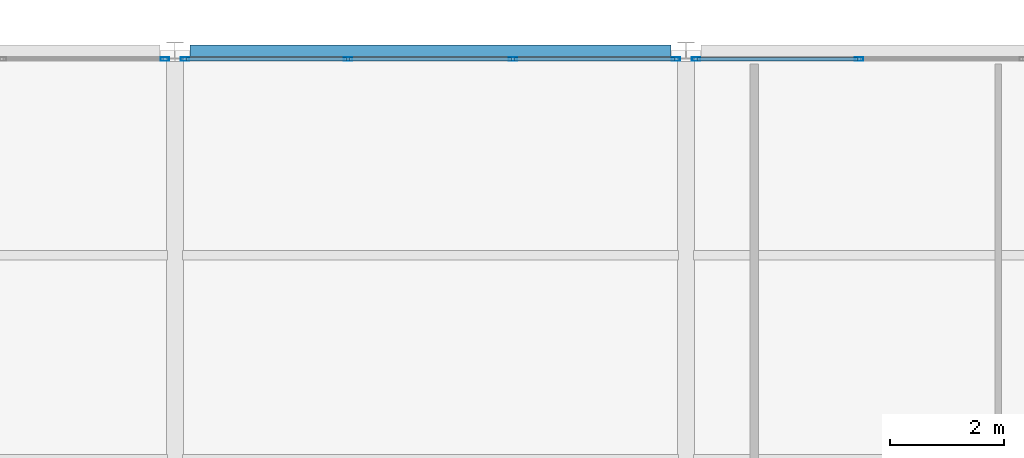
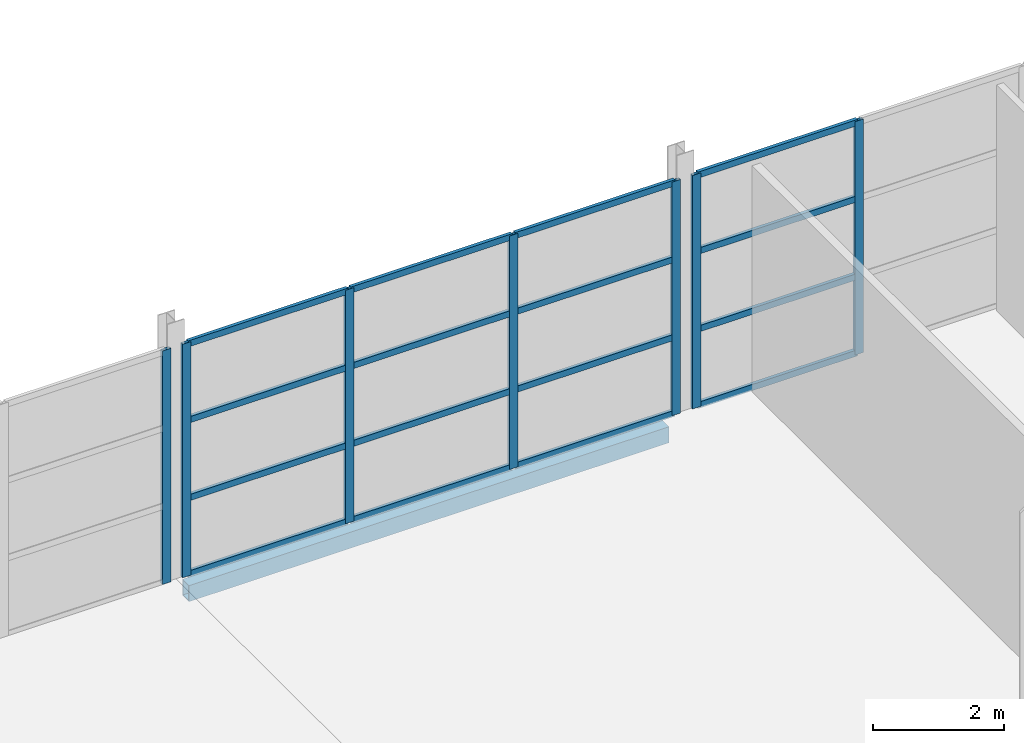
# One storey, part 58 of 134: 23 members, 1 beam, 3 elements without a shape of their own.
"""IFC4 building model written with IfcOpenShell, lengths in metres."""

from ifc_helpers import new_model, si_unit, direction, frame, origin, origin_2d, place, context, subcontext, project, spatial, hollow_rectangle, extrude, material, layer, layer_set, material_profile, profile_set, type_object, element, aggregate, save


model = new_model("IFC4")

# Units and contexts
model_context = context("Model", 3, precision=1e-05, world=origin(), true_north=direction((0.0, 1.0)))
body_context = subcontext(model_context, "Body", "Model", "MODEL_VIEW")
ifc_project = project(units=[si_unit("LENGTHUNIT", "METRE"), si_unit("AREAUNIT", "SQUARE_METRE"), si_unit("VOLUMEUNIT", "CUBIC_METRE"), si_unit("PLANEANGLEUNIT", "RADIAN"), si_unit("MASSUNIT", "GRAM", prefix="KILO")], contexts=[model_context])

# Site, building, storey
site_placement = place(None, origin())
site = spatial("IfcSite", under=ifc_project, at=site_placement, CompositionType="ELEMENT")
building_placement = place(site_placement, origin())
building = spatial("IfcBuilding", under=site, at=building_placement, Name="Tamarisk Ironworks Central Station", CompositionType="ELEMENT")
storey_placement = place(building_placement, frame((0.0, 0.0, 12.60009765625)))
storey = spatial("IfcBuildingStorey", under=building, at=storey_placement, Name="L02", CompositionType="ELEMENT", Elevation=12.60009765625)

# Beam
ifc_material_1 = material(Name="Structural steel S355J2", Category="steel")
ifc_material_profile_1 = material_profile(ifc_material_1, hollow_rectangle(XDim=0.199951171875, YDim=0.300048828125, WallThickness=0.011962890625, at=origin_2d()), Name="RHS 300x200x12")
ifc_profile_set_1 = profile_set([ifc_material_profile_1], Name="Structural steel S355J2")
beam_type = type_object("IfcBeamType", Name="BM-SP02", PredefinedType="SPANDREL", material=ifc_profile_set_1)
beam_placement = place(storey_placement, frame((18.262939453125, 122.39990234375, -0.400146484375), z_axis=(1.0, 0.0, 0.0), x_axis=(0.0, 1.0, 0.0)))
element("IfcBeam", 1, at=beam_placement, inside=storey, type_object=beam_type, Name="L02 primary girder X-0408", PredefinedType="SPANDREL", context=body_context, shape_type="SweptSolid", body=[
    extrude(hollow_rectangle(XDim=0.199951171875, YDim=0.300048828125, WallThickness=0.011962890625, at=origin_2d()), origin(), (0.0, 0.0, 1.0), 8.47412109375),
])

# Curtain wall, member
ifc_material_2 = material(Name="Anodized aluminium alloy 6063-T6", Category="aluminium")
ifc_layer = layer(ifc_material_2, 0.179931640625)
ifc_layer_set = layer_set([ifc_layer], Name="Anodized aluminium alloy 6063-T6")
curtain_wall_type = type_object("IfcCurtainWallType", Name="CW-14", PredefinedType="USERDEFINED", material=ifc_layer_set)
curtain_wall_1_placement = place(storey_placement, origin())
curtain_wall_1 = element("IfcCurtainWall", 2, at=curtain_wall_1_placement, inside=storey, type_object=curtain_wall_type, Name="Pavilion L02 N glazed arcade 09", ObjectType="GLAZED CURTAIN WALL", PredefinedType="USERDEFINED")
ifc_material_profile_2 = material_profile(ifc_material_2, hollow_rectangle(XDim=0.06005859375, YDim=0.14990234375, WallThickness=0.00341796875, at=origin_2d()), Name="ALUM 150x60")
ifc_profile_set_2 = profile_set([ifc_material_profile_2], Name="Anodized aluminium alloy 6063-T6")
member_type_1 = type_object("IfcMemberType", Name="CWM-03", PredefinedType="MULLION", material=ifc_profile_set_2)
member_1_placement = place(storey_placement, frame((17.822021484375, 122.25, 0.0), z_axis=(0.0, 0.0, 1.0), x_axis=(0.0, 1.0, 0.0)))
member_1 = element("IfcMember", 3, at=member_1_placement, type_object=member_type_1, Name="CW14 mullion 4", PredefinedType="MULLION", context=body_context, shape_type="SweptSolid", body=[
    extrude(hollow_rectangle(XDim=0.06005859375, YDim=0.14990234375, WallThickness=0.00341796875, at=origin_2d()), origin(), (0.0, 0.0, 1.0), 4.35986328125),
])
aggregate(curtain_wall_1, [member_1])

# Curtain wall, members
curtain_wall_2_placement = place(storey_placement, origin())
curtain_wall_2 = element("IfcCurtainWall", 4, at=curtain_wall_2_placement, inside=storey, type_object=curtain_wall_type, Name="Pavilion L02 N glazed arcade 18", ObjectType="GLAZED CURTAIN WALL", PredefinedType="USERDEFINED")
member_2_placement = place(storey_placement, frame((18.177978515625, 122.25, 0.0), z_axis=(0.0, 0.0, 1.0), x_axis=(0.0, 1.0, 0.0)))
member_2 = element("IfcMember", 5, at=member_2_placement, type_object=member_type_1, Name="CW14 mullion 1", PredefinedType="MULLION", context=body_context, shape_type="SweptSolid", body=[
    extrude(hollow_rectangle(XDim=0.06005859375, YDim=0.14990234375, WallThickness=0.00341796875, at=origin_2d()), origin(), (0.0, 0.0, 1.0), 4.35986328125),
])
member_3_placement = place(storey_placement, frame((21.04931640625, 122.25, 0.0), z_axis=(0.0, 0.0, 1.0), x_axis=(0.0, 1.0, 0.0)))
member_3 = element("IfcMember", 6, at=member_3_placement, type_object=member_type_1, Name="CW14 mullion 2", PredefinedType="MULLION", context=body_context, shape_type="SweptSolid", body=[
    extrude(hollow_rectangle(XDim=0.06005859375, YDim=0.14990234375, WallThickness=0.00341796875, at=origin_2d()), origin(), (0.0, 0.0, 1.0), 4.35986328125),
])
member_4_placement = place(storey_placement, frame((23.95068359375, 122.25, 0.0), z_axis=(0.0, 0.0, 1.0), x_axis=(0.0, 1.0, 0.0)))
member_4 = element("IfcMember", 7, at=member_4_placement, type_object=member_type_1, Name="CW14 mullion 3", PredefinedType="MULLION", context=body_context, shape_type="SweptSolid", body=[
    extrude(hollow_rectangle(XDim=0.06005859375, YDim=0.14990234375, WallThickness=0.00341796875, at=origin_2d()), origin(), (0.0, 0.0, 1.0), 4.35986328125),
])
member_5_placement = place(storey_placement, frame((26.822021484375, 122.25, 0.0), z_axis=(0.0, 0.0, 1.0), x_axis=(0.0, 1.0, 0.0)))
member_5 = element("IfcMember", 8, at=member_5_placement, type_object=member_type_1, Name="CW14 mullion 4", PredefinedType="MULLION", context=body_context, shape_type="SweptSolid", body=[
    extrude(hollow_rectangle(XDim=0.06005859375, YDim=0.14990234375, WallThickness=0.00341796875, at=origin_2d()), origin(), (0.0, 0.0, 1.0), 4.35986328125),
])

curtain_wall_3_placement = place(storey_placement, origin())
curtain_wall_3 = element("IfcCurtainWall", 9, at=curtain_wall_3_placement, inside=storey, type_object=curtain_wall_type, Name="Pavilion L02 N glazed arcade 27", ObjectType="GLAZED CURTAIN WALL", PredefinedType="USERDEFINED")
member_6_placement = place(storey_placement, frame((27.177978515625, 122.25, 0.0), z_axis=(0.0, 0.0, 1.0), x_axis=(0.0, 1.0, 0.0)))
member_6 = element("IfcMember", 10, at=member_6_placement, type_object=member_type_1, Name="CW14 mullion 1", PredefinedType="MULLION", context=body_context, shape_type="SweptSolid", body=[
    extrude(hollow_rectangle(XDim=0.06005859375, YDim=0.14990234375, WallThickness=0.00341796875, at=origin_2d()), origin(), (0.0, 0.0, 1.0), 4.35986328125),
])
member_7_placement = place(storey_placement, frame((30.04931640625, 122.25, 0.0), z_axis=(0.0, 0.0, 1.0), x_axis=(0.0, 1.0, 0.0)))
member_7 = element("IfcMember", 11, at=member_7_placement, type_object=member_type_1, Name="CW14 mullion 2", PredefinedType="MULLION", context=body_context, shape_type="SweptSolid", body=[
    extrude(hollow_rectangle(XDim=0.06005859375, YDim=0.14990234375, WallThickness=0.00341796875, at=origin_2d()), origin(), (0.0, 0.0, 1.0), 4.35986328125),
])

# Member
ifc_material_profile_3 = material_profile(ifc_material_2, hollow_rectangle(XDim=0.06005859375, YDim=0.114990234375, WallThickness=0.00341796875, at=origin_2d()), Name="ALUM 115x60")
ifc_profile_set_3 = profile_set([ifc_material_profile_3], Name="Anodized aluminium alloy 6063-T6")
member_type_2 = type_object("IfcMemberType", Name="CWT-03", PredefinedType="USERDEFINED", material=ifc_profile_set_3)
member_8_placement = place(storey_placement, frame((18.2041015625, 122.25, 0.02978515625), z_axis=(1.0, 0.0, 0.0), x_axis=(0.0, 1.0, 0.0)))
member_8 = element("IfcMember", 12, at=member_8_placement, type_object=member_type_2, Name="CW14 transom 1.1", ObjectType="TRANSOM", PredefinedType="USERDEFINED", context=body_context, shape_type="SweptSolid", body=[
    extrude(hollow_rectangle(XDim=0.06005859375, YDim=0.114990234375, WallThickness=0.00341796875, at=origin_2d()), origin(), (0.0, 0.0, 1.0), 2.8193359375),
])

member_9_placement = place(storey_placement, frame((18.2041015625, 122.25, 1.453125), z_axis=(1.0, 0.0, 0.0), x_axis=(0.0, 1.0, 0.0)))
member_9 = element("IfcMember", 13, at=member_9_placement, type_object=member_type_2, Name="CW14 transom 1.2", ObjectType="TRANSOM", PredefinedType="USERDEFINED", context=body_context, shape_type="SweptSolid", body=[
    extrude(hollow_rectangle(XDim=0.06005859375, YDim=0.114990234375, WallThickness=0.00341796875, at=origin_2d()), origin(), (0.0, 0.0, 1.0), 2.8193359375),
])

member_10_placement = place(storey_placement, frame((18.2041015625, 122.25, 2.906494140625), z_axis=(1.0, 0.0, 0.0), x_axis=(0.0, 1.0, 0.0)))
member_10 = element("IfcMember", 14, at=member_10_placement, type_object=member_type_2, Name="CW14 transom 1.3", ObjectType="TRANSOM", PredefinedType="USERDEFINED", context=body_context, shape_type="SweptSolid", body=[
    extrude(hollow_rectangle(XDim=0.06005859375, YDim=0.114990234375, WallThickness=0.00341796875, at=origin_2d()), origin(), (0.0, 0.0, 1.0), 2.8193359375),
])

member_11_placement = place(storey_placement, frame((18.2041015625, 122.25, 4.329833984375), z_axis=(1.0, 0.0, 0.0), x_axis=(0.0, 1.0, 0.0)))
member_11 = element("IfcMember", 15, at=member_11_placement, type_object=member_type_2, Name="CW14 transom 1.4", ObjectType="TRANSOM", PredefinedType="USERDEFINED", context=body_context, shape_type="SweptSolid", body=[
    extrude(hollow_rectangle(XDim=0.06005859375, YDim=0.114990234375, WallThickness=0.00341796875, at=origin_2d()), origin(), (0.0, 0.0, 1.0), 2.8193359375),
])

member_12_placement = place(storey_placement, frame((21.075439453125, 122.25, 0.02978515625), z_axis=(1.0, 0.0, 0.0), x_axis=(0.0, 1.0, 0.0)))
member_12 = element("IfcMember", 16, at=member_12_placement, type_object=member_type_2, Name="CW14 transom 2.1", ObjectType="TRANSOM", PredefinedType="USERDEFINED", context=body_context, shape_type="SweptSolid", body=[
    extrude(hollow_rectangle(XDim=0.06005859375, YDim=0.114990234375, WallThickness=0.00341796875, at=origin_2d()), origin(), (0.0, 0.0, 1.0), 2.84912109375),
])

member_13_placement = place(storey_placement, frame((21.075439453125, 122.25, 1.453125), z_axis=(1.0, 0.0, 0.0), x_axis=(0.0, 1.0, 0.0)))
member_13 = element("IfcMember", 17, at=member_13_placement, type_object=member_type_2, Name="CW14 transom 2.2", ObjectType="TRANSOM", PredefinedType="USERDEFINED", context=body_context, shape_type="SweptSolid", body=[
    extrude(hollow_rectangle(XDim=0.06005859375, YDim=0.114990234375, WallThickness=0.00341796875, at=origin_2d()), origin(), (0.0, 0.0, 1.0), 2.84912109375),
])

member_14_placement = place(storey_placement, frame((21.075439453125, 122.25, 2.906494140625), z_axis=(1.0, 0.0, 0.0), x_axis=(0.0, 1.0, 0.0)))
member_14 = element("IfcMember", 18, at=member_14_placement, type_object=member_type_2, Name="CW14 transom 2.3", ObjectType="TRANSOM", PredefinedType="USERDEFINED", context=body_context, shape_type="SweptSolid", body=[
    extrude(hollow_rectangle(XDim=0.06005859375, YDim=0.114990234375, WallThickness=0.00341796875, at=origin_2d()), origin(), (0.0, 0.0, 1.0), 2.84912109375),
])

member_15_placement = place(storey_placement, frame((21.075439453125, 122.25, 4.329833984375), z_axis=(1.0, 0.0, 0.0), x_axis=(0.0, 1.0, 0.0)))
member_15 = element("IfcMember", 19, at=member_15_placement, type_object=member_type_2, Name="CW14 transom 2.4", ObjectType="TRANSOM", PredefinedType="USERDEFINED", context=body_context, shape_type="SweptSolid", body=[
    extrude(hollow_rectangle(XDim=0.06005859375, YDim=0.114990234375, WallThickness=0.00341796875, at=origin_2d()), origin(), (0.0, 0.0, 1.0), 2.84912109375),
])

member_16_placement = place(storey_placement, frame((23.9765625, 122.25, 0.02978515625), z_axis=(1.0, 0.0, 0.0), x_axis=(0.0, 1.0, 0.0)))
member_16 = element("IfcMember", 20, at=member_16_placement, type_object=member_type_2, Name="CW14 transom 3.1", ObjectType="TRANSOM", PredefinedType="USERDEFINED", context=body_context, shape_type="SweptSolid", body=[
    extrude(hollow_rectangle(XDim=0.06005859375, YDim=0.114990234375, WallThickness=0.00341796875, at=origin_2d()), origin(), (0.0, 0.0, 1.0), 2.8193359375),
])

member_17_placement = place(storey_placement, frame((23.9765625, 122.25, 1.453125), z_axis=(1.0, 0.0, 0.0), x_axis=(0.0, 1.0, 0.0)))
member_17 = element("IfcMember", 21, at=member_17_placement, type_object=member_type_2, Name="CW14 transom 3.2", ObjectType="TRANSOM", PredefinedType="USERDEFINED", context=body_context, shape_type="SweptSolid", body=[
    extrude(hollow_rectangle(XDim=0.06005859375, YDim=0.114990234375, WallThickness=0.00341796875, at=origin_2d()), origin(), (0.0, 0.0, 1.0), 2.8193359375),
])

member_18_placement = place(storey_placement, frame((23.9765625, 122.25, 2.906494140625), z_axis=(1.0, 0.0, 0.0), x_axis=(0.0, 1.0, 0.0)))
member_18 = element("IfcMember", 22, at=member_18_placement, type_object=member_type_2, Name="CW14 transom 3.3", ObjectType="TRANSOM", PredefinedType="USERDEFINED", context=body_context, shape_type="SweptSolid", body=[
    extrude(hollow_rectangle(XDim=0.06005859375, YDim=0.114990234375, WallThickness=0.00341796875, at=origin_2d()), origin(), (0.0, 0.0, 1.0), 2.8193359375),
])

member_19_placement = place(storey_placement, frame((23.9765625, 122.25, 4.329833984375), z_axis=(1.0, 0.0, 0.0), x_axis=(0.0, 1.0, 0.0)))
member_19 = element("IfcMember", 23, at=member_19_placement, type_object=member_type_2, Name="CW14 transom 3.4", ObjectType="TRANSOM", PredefinedType="USERDEFINED", context=body_context, shape_type="SweptSolid", body=[
    extrude(hollow_rectangle(XDim=0.06005859375, YDim=0.114990234375, WallThickness=0.00341796875, at=origin_2d()), origin(), (0.0, 0.0, 1.0), 2.8193359375),
])

aggregate(curtain_wall_2, [member_2, member_3, member_4, member_5, member_8, member_9, member_10, member_11, member_12, member_13, member_14, member_15, member_16, member_17, member_18, member_19])

member_20_placement = place(storey_placement, frame((27.2041015625, 122.25, 0.02978515625), z_axis=(1.0, 0.0, 0.0), x_axis=(0.0, 1.0, 0.0)))
member_20 = element("IfcMember", 24, at=member_20_placement, type_object=member_type_2, Name="CW14 transom 1.1", ObjectType="TRANSOM", PredefinedType="USERDEFINED", context=body_context, shape_type="SweptSolid", body=[
    extrude(hollow_rectangle(XDim=0.06005859375, YDim=0.114990234375, WallThickness=0.00341796875, at=origin_2d()), origin(), (0.0, 0.0, 1.0), 2.8193359375),
])

member_21_placement = place(storey_placement, frame((27.2041015625, 122.25, 1.453125), z_axis=(1.0, 0.0, 0.0), x_axis=(0.0, 1.0, 0.0)))
member_21 = element("IfcMember", 25, at=member_21_placement, type_object=member_type_2, Name="CW14 transom 1.2", ObjectType="TRANSOM", PredefinedType="USERDEFINED", context=body_context, shape_type="SweptSolid", body=[
    extrude(hollow_rectangle(XDim=0.06005859375, YDim=0.114990234375, WallThickness=0.00341796875, at=origin_2d()), origin(), (0.0, 0.0, 1.0), 2.8193359375),
])

member_22_placement = place(storey_placement, frame((27.2041015625, 122.25, 2.906494140625), z_axis=(1.0, 0.0, 0.0), x_axis=(0.0, 1.0, 0.0)))
member_22 = element("IfcMember", 26, at=member_22_placement, type_object=member_type_2, Name="CW14 transom 1.3", ObjectType="TRANSOM", PredefinedType="USERDEFINED", context=body_context, shape_type="SweptSolid", body=[
    extrude(hollow_rectangle(XDim=0.06005859375, YDim=0.114990234375, WallThickness=0.00341796875, at=origin_2d()), origin(), (0.0, 0.0, 1.0), 2.8193359375),
])

member_23_placement = place(storey_placement, frame((27.2041015625, 122.25, 4.329833984375), z_axis=(1.0, 0.0, 0.0), x_axis=(0.0, 1.0, 0.0)))
member_23 = element("IfcMember", 27, at=member_23_placement, type_object=member_type_2, Name="CW14 transom 1.4", ObjectType="TRANSOM", PredefinedType="USERDEFINED", context=body_context, shape_type="SweptSolid", body=[
    extrude(hollow_rectangle(XDim=0.06005859375, YDim=0.114990234375, WallThickness=0.00341796875, at=origin_2d()), origin(), (0.0, 0.0, 1.0), 2.8193359375),
])

aggregate(curtain_wall_3, [member_6, member_7, member_20, member_21, member_22, member_23])

save(model, "model.ifc")
